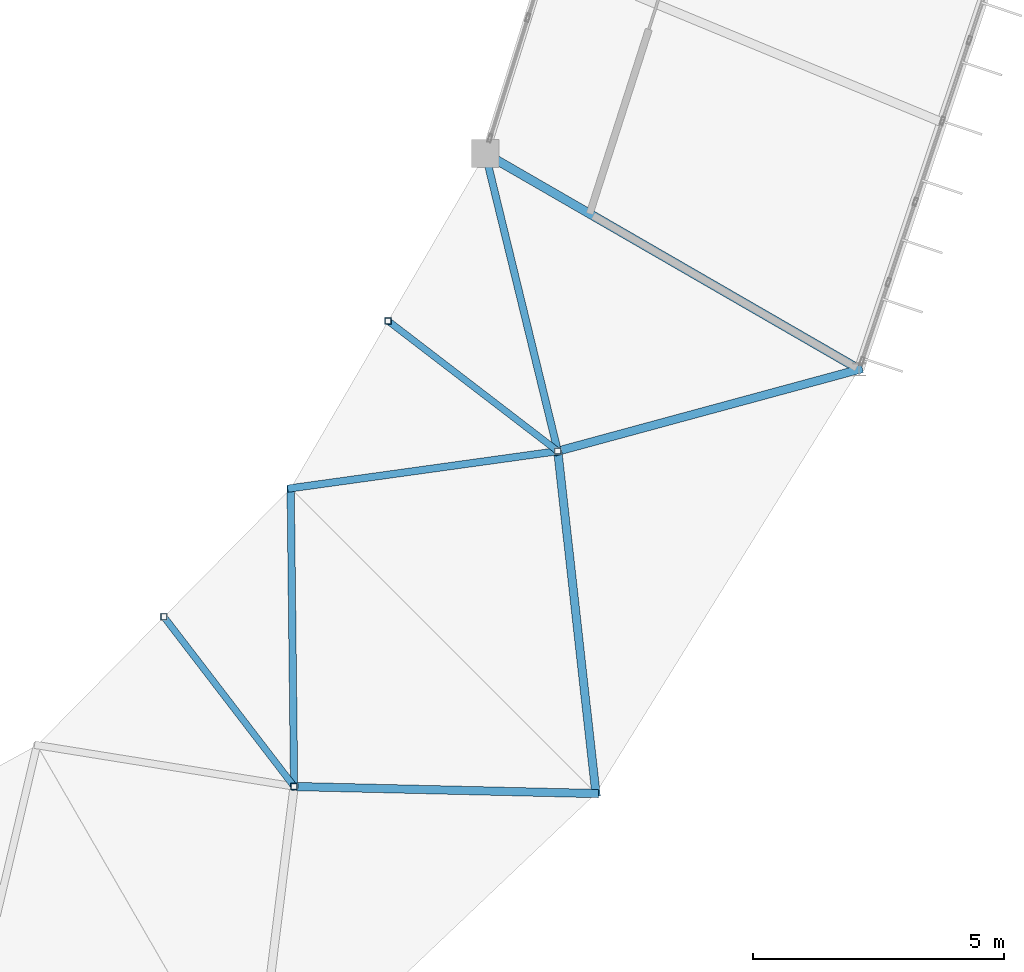
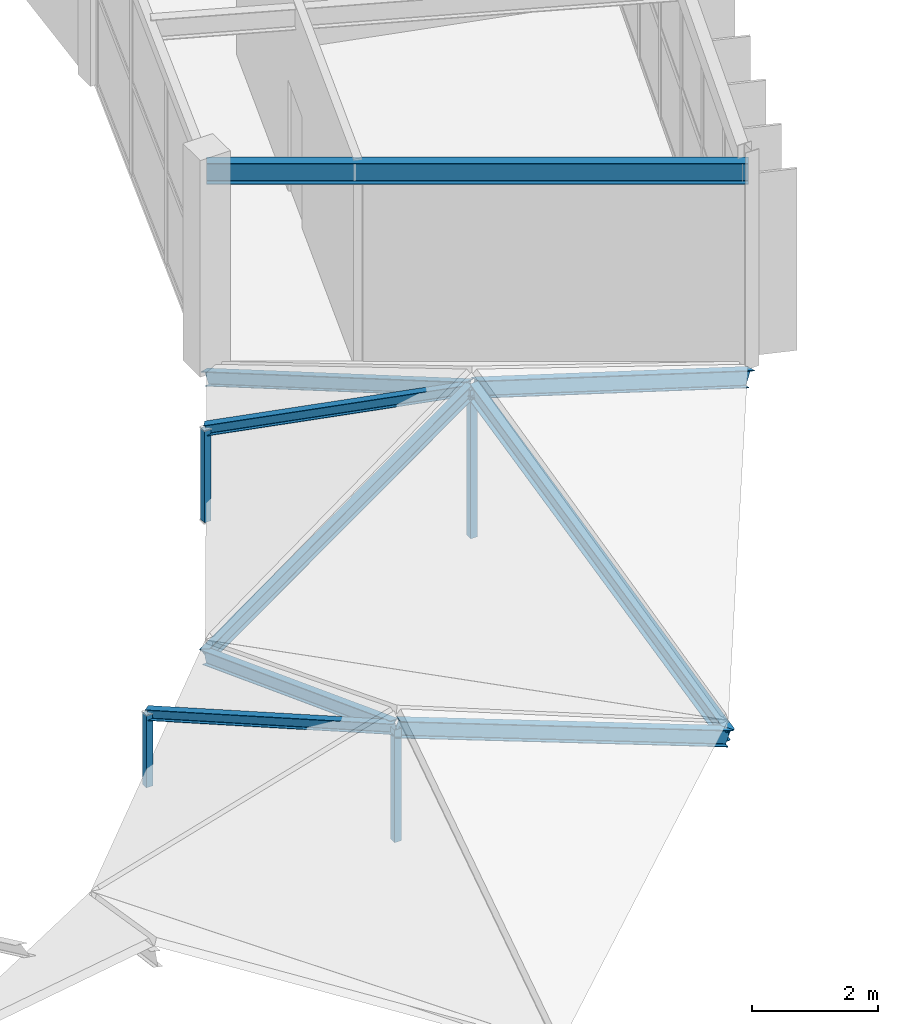
# One storey, part 16 of 66: 12 members, 1 beam.
"""IFC4 building model written with IfcOpenShell, lengths in metres."""

from ifc_helpers import new_model, si_unit, direction, frame, origin, origin_2d, place, context, subcontext, project, spatial, hollow_rectangle, i_section, extrude, material, material_profile, profile_set, type_object, element, save


model = new_model("IFC4")

# Units and contexts
model_context = context("Model", 3, precision=1e-05, world=origin(), true_north=direction((0.0, 1.0)))
body_context = subcontext(model_context, "Body", "Model", "MODEL_VIEW")
ifc_project = project(units=[si_unit("LENGTHUNIT", "METRE"), si_unit("AREAUNIT", "SQUARE_METRE"), si_unit("VOLUMEUNIT", "CUBIC_METRE"), si_unit("PLANEANGLEUNIT", "RADIAN"), si_unit("MASSUNIT", "GRAM", prefix="KILO")], contexts=[model_context])

# Site, building, storey
site_placement = place(None, origin())
site = spatial("IfcSite", under=ifc_project, at=site_placement, CompositionType="ELEMENT")
building_placement = place(site_placement, origin())
building = spatial("IfcBuilding", under=site, at=building_placement, Name="Karori Crest Natural Sciences Institute", CompositionType="ELEMENT")
storey_placement = place(building_placement, frame((0.0, 0.0, 30.10009765625)))
storey = spatial("IfcBuildingStorey", under=building, at=storey_placement, Name="L07", CompositionType="ELEMENT", Elevation=30.10009765625)

# Beam
ifc_material_1 = material(Name="Structural steel AS/NZS 3679.1 Grade 350", Category="steel")
ifc_material_profile_1 = material_profile(ifc_material_1, i_section(OverallWidth=0.177978515625, OverallDepth=0.406005859375, WebThickness=0.0078125, FlangeThickness=0.0126953125, FilletRadius=0.010986328125, at=origin_2d()), Name="410UB59.7")
ifc_profile_set_1 = profile_set([ifc_material_profile_1], Name="Structural steel AS/NZS 3679.1 Grade 350")
beam_type = type_object("IfcBeamType", Name="BT-07", PredefinedType="BEAM", material=ifc_profile_set_1)
beam_placement = place(storey_placement, frame((87.531005859375, 33.800048828125, 3.739990234375), z_axis=(0.866021068297, -0.500007509209, 0.0), x_axis=(0.500007509209, 0.866021068297, 0.0)))
element("IfcBeam", 1, at=beam_placement, inside=storey, type_object=beam_type, Name="Beam B-0712", PredefinedType="BEAM", context=body_context, shape_type="SweptSolid", body=[
    extrude(i_section(OverallWidth=0.177978515625, OverallDepth=0.406005859375, WebThickness=0.0078125, FlangeThickness=0.0126953125, FilletRadius=0.010986328125, at=origin_2d()), origin(), (0.0, 0.0, 1.0), 8.599853515625),
])

# Members
ifc_material_profile_2 = material_profile(ifc_material_1, i_section(OverallWidth=0.166015625, OverallDepth=0.306884765625, WebThickness=0.006591796875, FlangeThickness=0.01171875, FilletRadius=0.010986328125, at=origin_2d()), Name="310UB46.2")
ifc_profile_set_2 = profile_set([ifc_material_profile_2], Name="Structural steel AS/NZS 3679.1 Grade 350")
member_type_1 = type_object("IfcMemberType", Name="MT-06", PredefinedType="RAFTER", material=ifc_profile_set_2)
member_1_placement = place(storey_placement, frame((89.734619140625, 21.050048828125, -0.260009765625), z_axis=(-0.939195012347, 0.021927770509, 0.342683383992), x_axis=(-0.023341048699, -0.999727560611, 0.0)))
element("IfcMember", 2, at=member_1_placement, inside=storey, type_object=member_type_1, Name="Member M-0172", PredefinedType="RAFTER", context=body_context, shape_type="SweptSolid", body=[
    extrude(i_section(OverallWidth=0.166015625, OverallDepth=0.306884765625, WebThickness=0.006591796875, FlangeThickness=0.01171875, FilletRadius=0.010986328125, at=origin_2d()), origin(), (0.0, 0.0, 1.0), 6.40185546875),
])
member_2_placement = place(storey_placement, frame((89.734619140625, 21.050048828125, -0.260009765625), z_axis=(-0.102130530334, 0.916223023577, 0.387433511509), x_axis=(-0.993844625972, -0.110782938333, 0.0)))
element("IfcMember", 3, at=member_2_placement, inside=storey, type_object=member_type_1, Name="Member M-0178", PredefinedType="RAFTER", context=body_context, shape_type="SweptSolid", body=[
    extrude(i_section(OverallWidth=0.166015625, OverallDepth=0.306884765625, WebThickness=0.006591796875, FlangeThickness=0.01171875, FilletRadius=0.010986328125, at=origin_2d()), origin(), (0.0, 0.0, 1.0), 7.44384765625),
])
member_3_placement = place(storey_placement, frame((94.978759765625, 29.5, -0.260009765625), z_axis=(-0.87558765775, -0.237641197669, 0.420562616939), x_axis=(0.26193183546, -0.965086376224, 0.0)))
element("IfcMember", 4, at=member_3_placement, inside=storey, type_object=member_type_1, Name="Member M-0179", PredefinedType="RAFTER", context=body_context, shape_type="SweptSolid", body=[
    extrude(i_section(OverallWidth=0.166015625, OverallDepth=0.306884765625, WebThickness=0.006591796875, FlangeThickness=0.01171875, FilletRadius=0.010986328125, at=origin_2d()), origin(), (0.0, 0.0, 1.0), 6.857666015625),
])
ifc_material_profile_3 = material_profile(ifc_material_1, i_section(OverallWidth=0.14599609375, OverallDepth=0.256103515625, WebThickness=0.00634765625, FlangeThickness=0.010986328125, FilletRadius=0.009033203125, at=origin_2d()), Name="250UB37.3")
ifc_profile_set_3 = profile_set([ifc_material_profile_3], Name="Structural steel AS/NZS 3679.1 Grade 350")
member_type_2 = type_object("IfcMemberType", Name="MT-07", PredefinedType="RAFTER", material=ifc_profile_set_3)
member_4_placement = place(storey_placement, frame((83.6533203125, 27.131103515625, -0.260009765625), z_axis=(0.010832381369, -0.938022547511, 0.346404907407), x_axis=(0.999933327322, 0.011547333456, 0.0)))
element("IfcMember", 5, at=member_4_placement, inside=storey, type_object=member_type_2, Name="Member M-0174", PredefinedType="RAFTER", context=body_context, shape_type="SweptSolid", body=[
    extrude(i_section(OverallWidth=0.14599609375, OverallDepth=0.256103515625, WebThickness=0.00634765625, FlangeThickness=0.010986328125, FilletRadius=0.009033203125, at=origin_2d()), origin(), (0.0, 0.0, 1.0), 6.333251953125),
])
member_5_placement = place(storey_placement, frame((83.6533203125, 27.131103515625, -0.260009765625), z_axis=(0.872681659757, 0.121242489825, 0.472997864038), x_axis=(-0.137609241225, 0.990486595936, 0.0)))
element("IfcMember", 6, at=member_5_placement, inside=storey, type_object=member_type_2, Name="Member M-0180", PredefinedType="RAFTER", context=body_context, shape_type="SweptSolid", body=[
    extrude(i_section(OverallWidth=0.14599609375, OverallDepth=0.256103515625, WebThickness=0.00634765625, FlangeThickness=0.010986328125, FilletRadius=0.009033203125, at=origin_2d()), origin(), (0.0, 0.0, 1.0), 6.097412109375),
])
member_6_placement = place(storey_placement, frame((87.531005859375, 33.800048828125, -0.260009765625), z_axis=(0.213831892269, -0.878475811812, 0.427265924116), x_axis=(0.971629848575, 0.236506738504, 0.0)))
element("IfcMember", 7, at=member_6_placement, inside=storey, type_object=member_type_2, Name="Member M-0181", PredefinedType="RAFTER", context=body_context, shape_type="SweptSolid", body=[
    extrude(i_section(OverallWidth=0.14599609375, OverallDepth=0.256103515625, WebThickness=0.00634765625, FlangeThickness=0.010986328125, FilletRadius=0.009033203125, at=origin_2d()), origin(), (0.0, 0.0, 1.0), 6.75),
])
ifc_material_profile_4 = material_profile(ifc_material_1, i_section(OverallWidth=0.133056640625, OverallDepth=0.202880859375, WebThickness=0.005859375, FlangeThickness=0.0078125, FilletRadius=0.009033203125, at=origin_2d()), Name="200UB25.4")
ifc_profile_set_4 = profile_set([ifc_material_profile_4], Name="Structural steel AS/NZS 3679.1 Grade 350")
member_type_3 = type_object("IfcMemberType", Name="MT-09", PredefinedType="PURLIN", material=ifc_profile_set_4)
member_7_placement = place(storey_placement, frame((81.126708984375, 24.572509765625, 1.06787109375), z_axis=(0.596585283069, -0.77746904293, 0.199067544595), x_axis=(0.793347276461, 0.608769331465, 0.0)))
element("IfcMember", 8, at=member_7_placement, inside=storey, type_object=member_type_3, Name="Member M-0175", PredefinedType="PURLIN", context=body_context, shape_type="SweptSolid", body=[
    extrude(i_section(OverallWidth=0.133056640625, OverallDepth=0.202880859375, WebThickness=0.005859375, FlangeThickness=0.0078125, FilletRadius=0.009033203125, at=origin_2d()), origin(), (0.0, 0.0, 1.0), 4.35009765625),
])
member_8_placement = place(storey_placement, frame((85.59228515625, 30.465576171875, 1.44482421875), z_axis=(0.764634282344, -0.586736621766, 0.266598107538), x_axis=(0.608769331465, 0.793347276461, 0.0)))
element("IfcMember", 9, at=member_8_placement, inside=storey, type_object=member_type_3, Name="Member M-0182", PredefinedType="PURLIN", context=body_context, shape_type="SweptSolid", body=[
    extrude(i_section(OverallWidth=0.133056640625, OverallDepth=0.202880859375, WebThickness=0.005859375, FlangeThickness=0.0078125, FilletRadius=0.009033203125, at=origin_2d()), origin(), (0.0, 0.0, 1.0), 4.423095703125),
])
ifc_material_2 = material(Name="Hollow structural steel AS/NZS 1163 Grade C350", Category="steel")
ifc_material_profile_5 = material_profile(ifc_material_2, hollow_rectangle(XDim=0.125, YDim=0.125, WallThickness=0.006103515625, at=origin_2d()), Name="SHS125x125x6")
ifc_profile_set_5 = profile_set([ifc_material_profile_5], Name="Hollow structural steel AS/NZS 1163 Grade C350")
member_type_4 = type_object("IfcMemberType", Name="MT-20", PredefinedType="STRUT", material=ifc_profile_set_5)
member_9_placement = place(storey_placement, frame((83.721923828125, 21.1904296875, -0.2451171875), z_axis=(0.0, 0.0, 1.0), x_axis=(1.0, 0.0, 0.0)))
element("IfcMember", 10, at=member_9_placement, inside=storey, type_object=member_type_4, Name="Member M-0169", PredefinedType="STRUT", context=body_context, shape_type="SweptSolid", body=[
    extrude(hollow_rectangle(XDim=0.125, YDim=0.125, WallThickness=0.006103515625, at=origin_2d()), origin(), (0.0, 0.0, 1.0), 2.178955078125),
])
member_10_placement = place(storey_placement, frame((81.126708984375, 24.572509765625, -0.322998046875), z_axis=(0.0, 0.0, 1.0), x_axis=(1.0, 0.0, 0.0)))
element("IfcMember", 11, at=member_10_placement, inside=storey, type_object=member_type_4, Name="Member M-0170", PredefinedType="STRUT", context=body_context, shape_type="SweptSolid", body=[
    extrude(hollow_rectangle(XDim=0.125, YDim=0.125, WallThickness=0.006103515625, at=origin_2d()), origin(), (0.0, 0.0, 1.0), 1.390869140625),
])
member_11_placement = place(storey_placement, frame((88.974365234375, 27.870361328125, -0.2451171875), z_axis=(0.0, 0.0, 1.0), x_axis=(1.0, 0.0, 0.0)))
element("IfcMember", 12, at=member_11_placement, inside=storey, type_object=member_type_4, Name="Member M-0176", PredefinedType="STRUT", context=body_context, shape_type="SweptSolid", body=[
    extrude(hollow_rectangle(XDim=0.125, YDim=0.125, WallThickness=0.006103515625, at=origin_2d()), origin(), (0.0, 0.0, 1.0), 2.869140625),
])
member_12_placement = place(storey_placement, frame((85.59228515625, 30.465576171875, -0.322998046875), z_axis=(0.0, 0.0, 1.0), x_axis=(1.0, 0.0, 0.0)))
element("IfcMember", 13, at=member_12_placement, inside=storey, type_object=member_type_4, Name="Member M-0177", PredefinedType="STRUT", context=body_context, shape_type="SweptSolid", body=[
    extrude(hollow_rectangle(XDim=0.125, YDim=0.125, WallThickness=0.006103515625, at=origin_2d()), origin(), (0.0, 0.0, 1.0), 1.767822265625),
])

save(model, "model.ifc")
